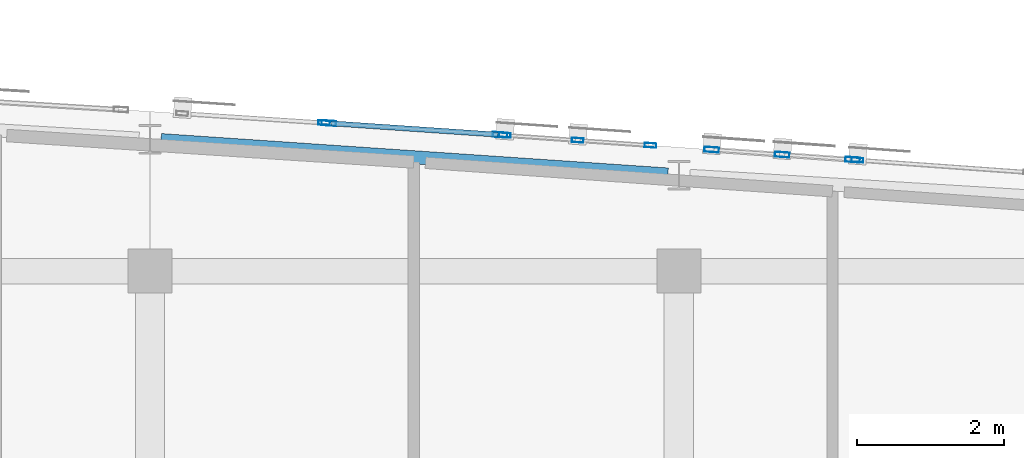
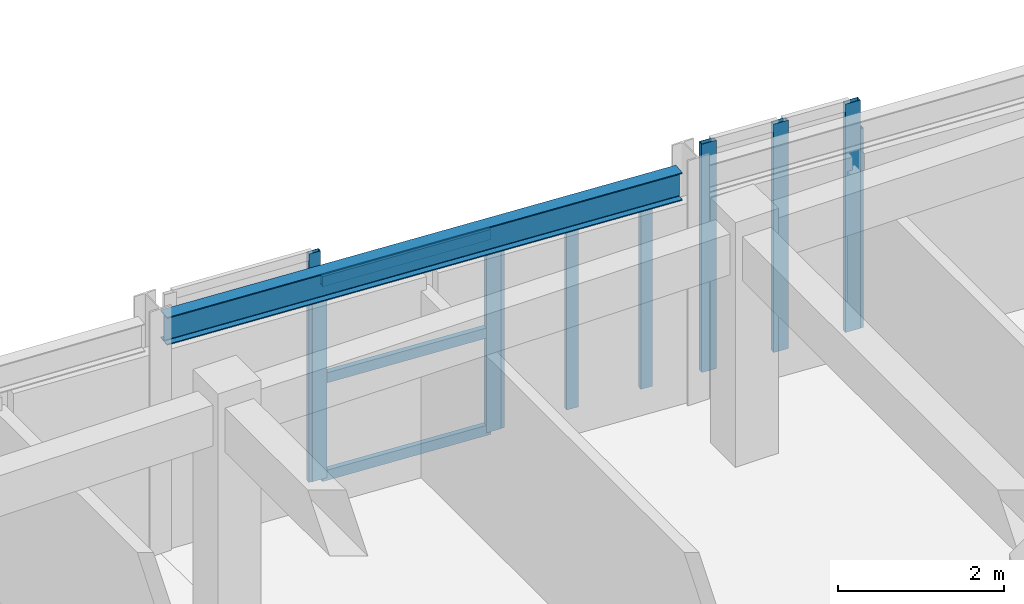
# One storey, part 24 of 51: 13 members, 1 beam, 5 elements without a shape of their own.
"""IFC4 building model written with IfcOpenShell, lengths in metres."""

from ifc_helpers import new_model, si_unit, direction, frame, origin, origin_2d, place, context, subcontext, project, spatial, hollow_rectangle, i_section, extrude, material, layer, layer_set, material_profile, profile_set, type_object, element, aggregate, save


model = new_model("IFC4")

# Units and contexts
model_context = context("Model", 3, precision=1e-05, world=origin(), true_north=direction((0.0, 1.0)))
body_context = subcontext(model_context, "Body", "Model", "MODEL_VIEW")
ifc_project = project(units=[si_unit("LENGTHUNIT", "METRE"), si_unit("AREAUNIT", "SQUARE_METRE"), si_unit("VOLUMEUNIT", "CUBIC_METRE"), si_unit("PLANEANGLEUNIT", "RADIAN"), si_unit("MASSUNIT", "GRAM", prefix="KILO")], contexts=[model_context])

# Site, building, storey
site_placement = place(None, origin())
site = spatial("IfcSite", under=ifc_project, at=site_placement, CompositionType="ELEMENT")
building_placement = place(site_placement, origin())
building = spatial("IfcBuilding", under=site, at=building_placement, Name="Carrowvane Square Congress Hotel", CompositionType="ELEMENT")
storey_placement = place(building_placement, frame((0.0, 0.0, 30.0)))
storey = spatial("IfcBuildingStorey", under=building, at=storey_placement, Name="L07", CompositionType="ELEMENT", Elevation=30.0)

# Beam
ifc_material_1 = material(Name="Steel S355", Category="steel")
ifc_material_profile_1 = material_profile(ifc_material_1, i_section(OverallWidth=0.1787109375, OverallDepth=0.409423828125, WebThickness=0.0087890625, FlangeThickness=0.014404296875, FilletRadius=0.01025390625, at=origin_2d()), Name="UKB 406x178x67")
ifc_profile_set_1 = profile_set([ifc_material_profile_1], Name="Steel S355")
beam_type = type_object("IfcBeamType", Name="BM-ST-UKB406", PredefinedType="BEAM", material=ifc_profile_set_1)
beam_placement = place(storey_placement, frame((126.94970703125, 115.18408203125, 3.1552734375), z_axis=(0.997707965639, -0.067666943928, 0.0), x_axis=(0.067666943928, 0.997707965639, 0.0)))
element("IfcBeam", 1, at=beam_placement, inside=storey, type_object=beam_type, Name="L08 curved north spandrel", PredefinedType="BEAM", context=body_context, shape_type="SweptSolid", body=[
    extrude(i_section(OverallWidth=0.1787109375, OverallDepth=0.409423828125, WebThickness=0.0087890625, FlangeThickness=0.014404296875, FilletRadius=0.01025390625, at=origin_2d()), origin(), (0.0, 0.0, 1.0), 6.91650390625),
])

# Curtain wall, member
ifc_material_2 = material(Name="Anodised aluminium", Category="aluminium")
ifc_layer_1 = layer(ifc_material_2, 0.2099609375)
ifc_layer_set_1 = layer_set([ifc_layer_1], Name="Anodised aluminium")
curtain_wall_type_1 = type_object("IfcCurtainWallType", Name="CW-SYS-5", PredefinedType="NOTDEFINED", material=ifc_layer_set_1)
curtain_wall_1_placement = place(storey_placement, origin())
curtain_wall_1 = element("IfcCurtainWall", 2, at=curtain_wall_1_placement, inside=storey, type_object=curtain_wall_type_1, Name="L07 unitised curtain wall 444", PredefinedType="NOTDEFINED")
ifc_material_3 = material(Name="Anodised aluminium", Category="aluminium")
ifc_material_profile_2 = material_profile(ifc_material_3, hollow_rectangle(XDim=0.06005859375, YDim=0.159912109375, WallThickness=0.00390625, at=origin_2d()), Name="CW-ML 60x160x4")
ifc_profile_set_2 = profile_set([ifc_material_profile_2], Name="Anodised aluminium")
member_type_1 = type_object("IfcMemberType", Name="CW-MUL-1", PredefinedType="MULLION", material=ifc_profile_set_2)
member_1_placement = place(storey_placement, frame((129.170166015625, 115.4189453125, 0.0), z_axis=(0.0, 0.0, 1.0), x_axis=(0.065413941589, 0.9978582145, 0.0)))
member_1 = element("IfcMember", 3, at=member_1_placement, type_object=member_type_1, Name="CW-5 mullion 2", PredefinedType="MULLION", context=body_context, shape_type="SweptSolid", body=[
    extrude(hollow_rectangle(XDim=0.06005859375, YDim=0.159912109375, WallThickness=0.00390625, at=origin_2d()), origin(), (0.0, 0.0, 1.0), 3.360107421875),
])
aggregate(curtain_wall_1, [member_1])

# Curtain wall, members
ifc_material_4 = material(Name="Anodised aluminium", Category="aluminium")
ifc_layer_2 = layer(ifc_material_4, 0.23388671875)
ifc_layer_set_2 = layer_set([ifc_layer_2], Name="Anodised aluminium")
curtain_wall_type_2 = type_object("IfcCurtainWallType", Name="CW-SYS-7", PredefinedType="NOTDEFINED", material=ifc_layer_set_2)
curtain_wall_2_placement = place(storey_placement, origin())
curtain_wall_2 = element("IfcCurtainWall", 4, at=curtain_wall_2_placement, inside=storey, type_object=curtain_wall_type_2, Name="L07 unitised curtain wall 446", PredefinedType="NOTDEFINED")
member_2_placement = place(storey_placement, frame((131.6298828125, 115.251708984375, 0.0), z_axis=(0.0, 0.0, 1.0), x_axis=(0.069726879118, 0.997566119277, 0.0)))
member_2 = element("IfcMember", 5, at=member_2_placement, type_object=member_type_1, Name="CW-7 mullion 1", PredefinedType="MULLION", context=body_context, shape_type="SweptSolid", body=[
    extrude(hollow_rectangle(XDim=0.06005859375, YDim=0.159912109375, WallThickness=0.00390625, at=origin_2d()), origin(), (0.0, 0.0, 1.0), 2.935546875),
])
member_3_placement = place(storey_placement, frame((132.621337890625, 115.182373046875, 0.0), z_axis=(0.0, 0.0, 1.0), x_axis=(0.069726879118, 0.997566119277, 0.0)))
member_3 = element("IfcMember", 6, at=member_3_placement, type_object=member_type_1, Name="CW-7 mullion 2", PredefinedType="MULLION", context=body_context, shape_type="SweptSolid", body=[
    extrude(hollow_rectangle(XDim=0.06005859375, YDim=0.159912109375, WallThickness=0.00390625, at=origin_2d()), origin(), (0.0, 0.0, 1.0), 2.935546875),
])
member_4_placement = place(storey_placement, frame((133.61279296875, 115.113037109375, 0.0), z_axis=(0.0, 0.0, 1.0), x_axis=(0.069726879118, 0.997566119277, 0.0)))
member_4 = element("IfcMember", 7, at=member_4_placement, type_object=member_type_1, Name="CW-7 mullion 3", PredefinedType="MULLION", context=body_context, shape_type="SweptSolid", body=[
    extrude(hollow_rectangle(XDim=0.06005859375, YDim=0.159912109375, WallThickness=0.00390625, at=origin_2d()), origin(), (0.0, 0.0, 1.0), 2.935546875),
])
aggregate(curtain_wall_2, [member_2, member_3, member_4])

# Curtain wall, member
ifc_material_5 = material(Name="Anodised aluminium", Category="aluminium")
ifc_layer_3 = layer(ifc_material_5, 0.162109375)
ifc_layer_set_3 = layer_set([ifc_layer_3], Name="Anodised aluminium")
curtain_wall_type_3 = type_object("IfcCurtainWallType", Name="CW-SYS-1", PredefinedType="NOTDEFINED", material=ifc_layer_set_3)
curtain_wall_3_placement = place(storey_placement, origin())
curtain_wall_3 = element("IfcCurtainWall", 8, at=curtain_wall_3_placement, inside=storey, type_object=curtain_wall_type_3, Name="L07 unitised curtain wall 448", PredefinedType="NOTDEFINED")
member_5_placement = place(storey_placement, frame((136.429931640625, 114.9130859375, 0.0), z_axis=(0.0, 0.0, 1.0), x_axis=(0.071531759512, 0.997438322595, 0.0)))
member_5 = element("IfcMember", 9, at=member_5_placement, type_object=member_type_1, Name="CW-1 mullion 1", PredefinedType="MULLION", context=body_context, shape_type="SweptSolid", body=[
    extrude(hollow_rectangle(XDim=0.06005859375, YDim=0.159912109375, WallThickness=0.00390625, at=origin_2d()), origin(), (0.0, 0.0, 1.0), 2.935546875),
])
aggregate(curtain_wall_3, [member_5])

# Curtain wall, members
ifc_material_6 = material(Name="Anodised aluminium", Category="aluminium")
ifc_layer_4 = layer(ifc_material_6, 0.221923828125)
ifc_layer_set_4 = layer_set([ifc_layer_4], Name="Anodised aluminium")
curtain_wall_type_4 = type_object("IfcCurtainWallType", Name="CW-SYS-6", PredefinedType="NOTDEFINED", material=ifc_layer_set_4)
curtain_wall_4_placement = place(storey_placement, origin())
curtain_wall_4 = element("IfcCurtainWall", 10, at=curtain_wall_4_placement, inside=storey, type_object=curtain_wall_type_4, Name="L07 unitised curtain wall 445", PredefinedType="NOTDEFINED")
ifc_material_7 = material(Name="Anodised aluminium", Category="aluminium")
ifc_material_profile_3 = material_profile(ifc_material_7, hollow_rectangle(XDim=0.070068359375, YDim=0.199951171875, WallThickness=0.0048828125, at=origin_2d()), Name="CW-ML 70x200x5")
ifc_profile_set_3 = profile_set([ifc_material_profile_3], Name="Anodised aluminium")
member_type_2 = type_object("IfcMemberType", Name="CW-MUL-2", PredefinedType="MULLION", material=ifc_profile_set_3)
member_6_placement = place(storey_placement, frame((129.23486328125, 115.41455078125, 0.0), z_axis=(0.0, 0.0, 1.0), x_axis=(0.067869562107, 0.99769420292, 0.0)))
member_6 = element("IfcMember", 11, at=member_6_placement, type_object=member_type_2, Name="CW-6 mullion 1", PredefinedType="MULLION", context=body_context, shape_type="SweptSolid", body=[
    extrude(hollow_rectangle(XDim=0.070068359375, YDim=0.199951171875, WallThickness=0.0048828125, at=origin_2d()), origin(), (0.0, 0.0, 1.0), 2.935546875),
])
member_7_placement = place(storey_placement, frame((131.56494140625, 115.256103515625, 0.0), z_axis=(0.0, 0.0, 1.0), x_axis=(0.067869562107, 0.99769420292, 0.0)))
member_7 = element("IfcMember", 12, at=member_7_placement, type_object=member_type_2, Name="CW-6 mullion 2", PredefinedType="MULLION", context=body_context, shape_type="SweptSolid", body=[
    extrude(hollow_rectangle(XDim=0.070068359375, YDim=0.199951171875, WallThickness=0.0048828125, at=origin_2d()), origin(), (0.0, 0.0, 1.0), 2.935546875),
])

ifc_material_8 = material(Name="Anodised aluminium", Category="aluminium")
ifc_layer_5 = layer(ifc_material_8, 0.24609375)
ifc_layer_set_5 = layer_set([ifc_layer_5], Name="Anodised aluminium")
curtain_wall_type_5 = type_object("IfcCurtainWallType", Name="CW-SYS-8", PredefinedType="NOTDEFINED", material=ifc_layer_set_5)
curtain_wall_5_placement = place(storey_placement, origin())
curtain_wall_5 = element("IfcCurtainWall", 13, at=curtain_wall_5_placement, inside=storey, type_object=curtain_wall_type_5, Name="L07 unitised curtain wall 447", PredefinedType="NOTDEFINED")
member_8_placement = place(storey_placement, frame((134.445556640625, 115.05419921875, 0.0), z_axis=(0.0, 0.0, 1.0), x_axis=(0.070959862453, 0.997479171673, 0.0)))
member_8 = element("IfcMember", 14, at=member_8_placement, type_object=member_type_2, Name="CW-8 mullion 1", PredefinedType="MULLION", context=body_context, shape_type="SweptSolid", body=[
    extrude(hollow_rectangle(XDim=0.070068359375, YDim=0.199951171875, WallThickness=0.0048828125, at=origin_2d()), origin(), (0.0, 0.0, 1.0), 3.360107421875),
])
member_9_placement = place(storey_placement, frame((135.4052734375, 114.986083984375, 0.0), z_axis=(0.0, 0.0, 1.0), x_axis=(0.070959862453, 0.997479171673, 0.0)))
member_9 = element("IfcMember", 15, at=member_9_placement, type_object=member_type_2, Name="CW-8 mullion 2", PredefinedType="MULLION", context=body_context, shape_type="SweptSolid", body=[
    extrude(hollow_rectangle(XDim=0.070068359375, YDim=0.199951171875, WallThickness=0.0048828125, at=origin_2d()), origin(), (0.0, 0.0, 1.0), 3.360107421875),
])
member_10_placement = place(storey_placement, frame((136.365234375, 114.917724609375, 0.0), z_axis=(0.0, 0.0, 1.0), x_axis=(0.070959862453, 0.997479171673, 0.0)))
member_10 = element("IfcMember", 16, at=member_10_placement, type_object=member_type_2, Name="CW-8 mullion 3", PredefinedType="MULLION", context=body_context, shape_type="SweptSolid", body=[
    extrude(hollow_rectangle(XDim=0.070068359375, YDim=0.199951171875, WallThickness=0.0048828125, at=origin_2d()), origin(), (0.0, 0.0, 1.0), 3.360107421875),
])
aggregate(curtain_wall_5, [member_8, member_9, member_10])

# Member
ifc_material_9 = material(Name="Anodised aluminium", Category="aluminium")
ifc_material_profile_4 = material_profile(ifc_material_9, hollow_rectangle(XDim=0.070068359375, YDim=0.14990234375, WallThickness=0.0048828125, at=origin_2d()), Name="CW-TR 70x150x5")
ifc_profile_set_4 = profile_set([ifc_material_profile_4], Name="Anodised aluminium")
member_type_3 = type_object("IfcMemberType", Name="CW-TRN-2", PredefinedType="USERDEFINED", material=ifc_profile_set_4)
member_11_placement = place(storey_placement, frame((129.269775390625, 115.412109375, 0.034912109375), z_axis=(0.997699953678, -0.067784972009, 0.0), x_axis=(0.067784972009, 0.997699953678, 0.0)))
member_11 = element("IfcMember", 17, at=member_11_placement, type_object=member_type_3, Name="CW-6 transom 1.1", ObjectType="TRANSOM", PredefinedType="USERDEFINED", context=body_context, shape_type="SweptSolid", body=[
    extrude(hollow_rectangle(XDim=0.070068359375, YDim=0.14990234375, WallThickness=0.0048828125, at=origin_2d()), origin(), (0.0, 0.0, 1.0), 2.265380859375),
])

member_12_placement = place(storey_placement, frame((129.269775390625, 115.412109375, 1.4677734375), z_axis=(0.997699953678, -0.067784972009, 0.0), x_axis=(0.067784972009, 0.997699953678, 0.0)))
member_12 = element("IfcMember", 18, at=member_12_placement, type_object=member_type_3, Name="CW-6 transom 1.2", ObjectType="TRANSOM", PredefinedType="USERDEFINED", context=body_context, shape_type="SweptSolid", body=[
    extrude(hollow_rectangle(XDim=0.070068359375, YDim=0.14990234375, WallThickness=0.0048828125, at=origin_2d()), origin(), (0.0, 0.0, 1.0), 2.265380859375),
])

member_13_placement = place(storey_placement, frame((129.269775390625, 115.412109375, 2.900634765625), z_axis=(0.997699953678, -0.067784972009, 0.0), x_axis=(0.067784972009, 0.997699953678, 0.0)))
member_13 = element("IfcMember", 19, at=member_13_placement, type_object=member_type_3, Name="CW-6 transom 1.3", ObjectType="TRANSOM", PredefinedType="USERDEFINED", context=body_context, shape_type="SweptSolid", body=[
    extrude(hollow_rectangle(XDim=0.070068359375, YDim=0.14990234375, WallThickness=0.0048828125, at=origin_2d()), origin(), (0.0, 0.0, 1.0), 2.265380859375),
])

aggregate(curtain_wall_4, [member_6, member_7, member_11, member_12, member_13])

save(model, "model.ifc")
